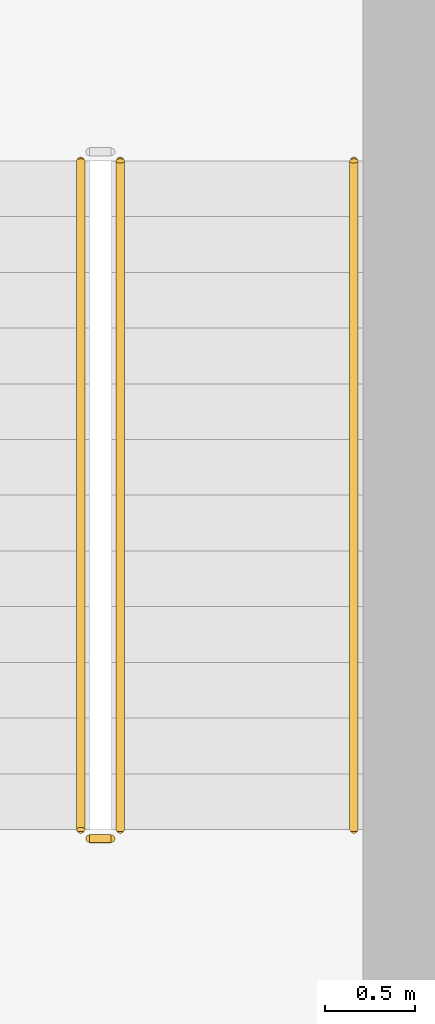
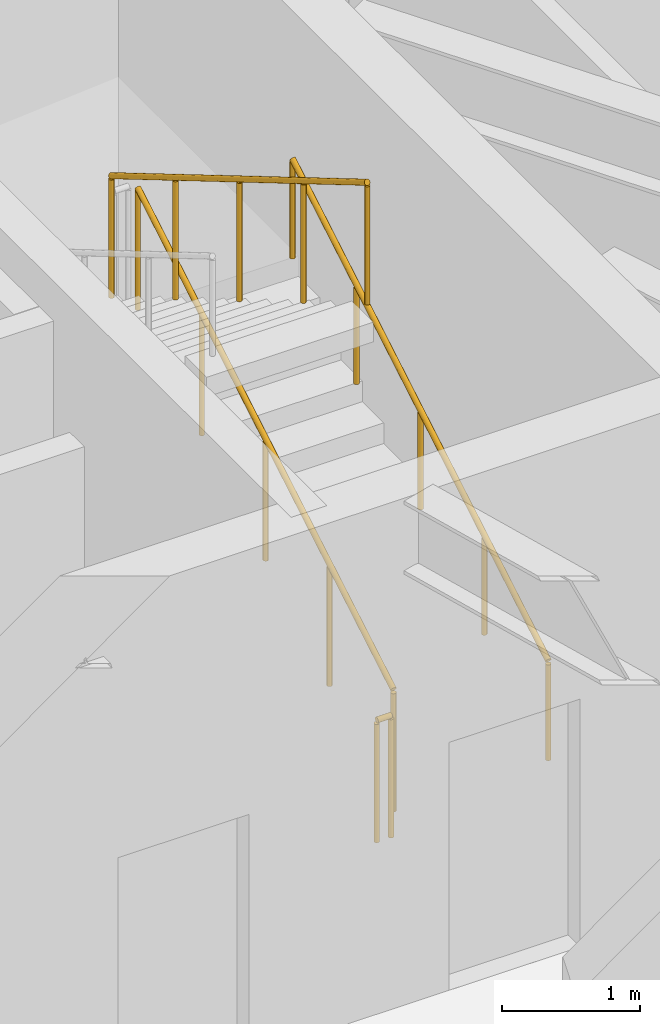
# One storey, part 27 of 30: 4 railings.
"""IFC4 building model written with IfcOpenShell, lengths in metres."""

from ifc_helpers import new_model, si_unit, direction, frame, origin, origin_2d, place, context, subcontext, project, spatial, circle, extrude, material, type_object, element, save


model = new_model("IFC4")

# Units and contexts
model_context = context("Model", 3, precision=1e-05, world=origin(), true_north=direction((0.0, 1.0)))
body_context = subcontext(model_context, "Body", "Model", "MODEL_VIEW")
ifc_project = project(units=[si_unit("LENGTHUNIT", "METRE"), si_unit("AREAUNIT", "SQUARE_METRE"), si_unit("VOLUMEUNIT", "CUBIC_METRE"), si_unit("PLANEANGLEUNIT", "RADIAN"), si_unit("MASSUNIT", "GRAM", prefix="KILO")], contexts=[model_context])

# Site, building, storey
site_placement = place(None, origin())
site = spatial("IfcSite", under=ifc_project, at=site_placement, CompositionType="ELEMENT")
building_placement = place(site_placement, origin())
building = spatial("IfcBuilding", under=site, at=building_placement, Name="Zarrinselat Tower", CompositionType="ELEMENT")
storey_placement = place(building_placement, frame((0.0, 0.0, 22.780029296875)))
storey = spatial("IfcBuildingStorey", under=building, at=storey_placement, Name="L05", CompositionType="ELEMENT", Elevation=22.780029296875)

# Railings
ifc_material_1 = material(Name="Steel S355J2", Category="steel")
railing_type_1 = type_object("IfcRailingType", Name="RLG-STAIR-GUARD", PredefinedType="GUARDRAIL", material=ifc_material_1)
railing_1_placement = place(storey_placement, frame((46.7099609375, 35.0, 0.18310546875)))
element("IfcRailing", 1, at=railing_1_placement, inside=storey, type_object=railing_type_1, Name="L05 ST-2 stair guard 1", PredefinedType="GUARDRAIL", context=body_context, shape_type="SweptSolid", body=[
    extrude(circle(Radius=0.02392578125, at=origin_2d()), frame((0.0, 0.0, 1.076171875), z_axis=(0.0, 0.861067125239, 0.508491303596), x_axis=(-1.0, 0.0, 0.0)), (0.0, 0.0, 1.0), 4.320068359375),
    extrude(circle(Radius=0.02099609375, at=origin_2d()), origin(), (0.0, 0.0, 1.0), 1.050048828125),
    extrude(circle(Radius=0.02099609375, at=origin_2d()), frame((0.0, 0.929931640625, 0.54931640625)), (0.0, 0.0, 1.0), 1.050048828125),
    extrude(circle(Radius=0.02099609375, at=origin_2d()), frame((0.0, 1.85986328125, 1.098388671875)), (0.0, 0.0, 1.0), 1.050048828125),
    extrude(circle(Radius=0.02099609375, at=origin_2d()), frame((0.0, 2.7900390625, 1.6474609375)), (0.0, 0.0, 1.0), 1.050048828125),
    extrude(circle(Radius=0.02099609375, at=origin_2d()), frame((0.0, 3.719970703125, 2.19677734375)), (0.0, 0.0, 1.0), 1.050048828125),
])
railing_2_placement = place(storey_placement, frame((46.489990234375, 38.719970703125, 2.56298828125)))
element("IfcRailing", 2, at=railing_2_placement, inside=storey, type_object=railing_type_1, Name="L05 ST-2 stair guard 3", PredefinedType="GUARDRAIL", context=body_context, shape_type="SweptSolid", body=[
    extrude(circle(Radius=0.02392578125, at=origin_2d()), frame((0.0, 0.0, 1.076171875), z_axis=(0.0, -0.861042381604, 0.508533201553), x_axis=(1.0, 0.0, 0.0)), (0.0, 0.0, 1.0), 4.3203125),
    extrude(circle(Radius=0.02099609375, at=origin_2d()), origin(), (0.0, 0.0, 1.0), 1.050048828125),
    extrude(circle(Radius=0.02099609375, at=origin_2d()), frame((0.0, -0.929931640625, 0.54931640625)), (0.0, 0.0, 1.0), 1.050048828125),
    extrude(circle(Radius=0.02099609375, at=origin_2d()), frame((0.0, -1.85986328125, 1.0986328125)), (0.0, 0.0, 1.0), 1.050048828125),
    extrude(circle(Radius=0.02099609375, at=origin_2d()), frame((0.0, -2.7900390625, 1.647705078125)), (0.0, 0.0, 1.0), 1.050048828125),
    extrude(circle(Radius=0.02099609375, at=origin_2d()), frame((0.0, -3.719970703125, 2.197021484375)), (0.0, 0.0, 1.0), 1.050048828125),
])
railing_3_placement = place(storey_placement, frame((46.659912109375, 34.949951171875, 0.0)))
element("IfcRailing", 3, at=railing_3_placement, inside=storey, type_object=railing_type_1, Name="L05 ST-2 stair guard 4", PredefinedType="GUARDRAIL", context=body_context, shape_type="SweptSolid", body=[
    extrude(circle(Radius=0.02392578125, at=origin_2d()), frame((0.0, 0.0, 1.076171875), z_axis=(-1.0, 0.0, 0.0), x_axis=(0.0, -1.0, 0.0)), (0.0, 0.0, 1.0), 0.119873046875),
    extrude(circle(Radius=0.02099609375, at=origin_2d()), origin(), (0.0, 0.0, 1.0), 1.050048828125),
    extrude(circle(Radius=0.02099609375, at=origin_2d()), frame((-0.119873046875, 0.0, 0.0)), (0.0, 0.0, 1.0), 1.050048828125),
])
ifc_material_2 = material(Name="Steel S355J2", Category="steel")
railing_type_2 = type_object("IfcRailingType", Name="RLG-STAIR-HAND", PredefinedType="HANDRAIL", material=ifc_material_2)
railing_4_placement = place(storey_placement, frame((48.010009765625, 35.0, 0.18310546875)))
element("IfcRailing", 4, at=railing_4_placement, inside=storey, type_object=railing_type_2, Name="L05 ST-2 stair handrail 1", PredefinedType="HANDRAIL", context=body_context, shape_type="SweptSolid", body=[
    extrude(circle(Radius=0.02392578125, at=origin_2d()), frame((0.0, 0.0, 0.8759765625), z_axis=(0.0, 0.861067125239, 0.508491303596), x_axis=(-1.0, 0.0, 0.0)), (0.0, 0.0, 1.0), 4.320068359375),
    extrude(circle(Radius=0.02099609375, at=origin_2d()), origin(), (0.0, 0.0, 1.0), 0.849853515625),
    extrude(circle(Radius=0.02099609375, at=origin_2d()), frame((0.0, 0.929931640625, 0.54931640625)), (0.0, 0.0, 1.0), 0.849853515625),
    extrude(circle(Radius=0.02099609375, at=origin_2d()), frame((0.0, 1.85986328125, 1.098388671875)), (0.0, 0.0, 1.0), 0.849853515625),
    extrude(circle(Radius=0.02099609375, at=origin_2d()), frame((0.0, 2.7900390625, 1.6474609375)), (0.0, 0.0, 1.0), 0.849853515625),
    extrude(circle(Radius=0.02099609375, at=origin_2d()), frame((0.0, 3.719970703125, 2.19677734375)), (0.0, 0.0, 1.0), 0.849853515625),
])

save(model, "model.ifc")
